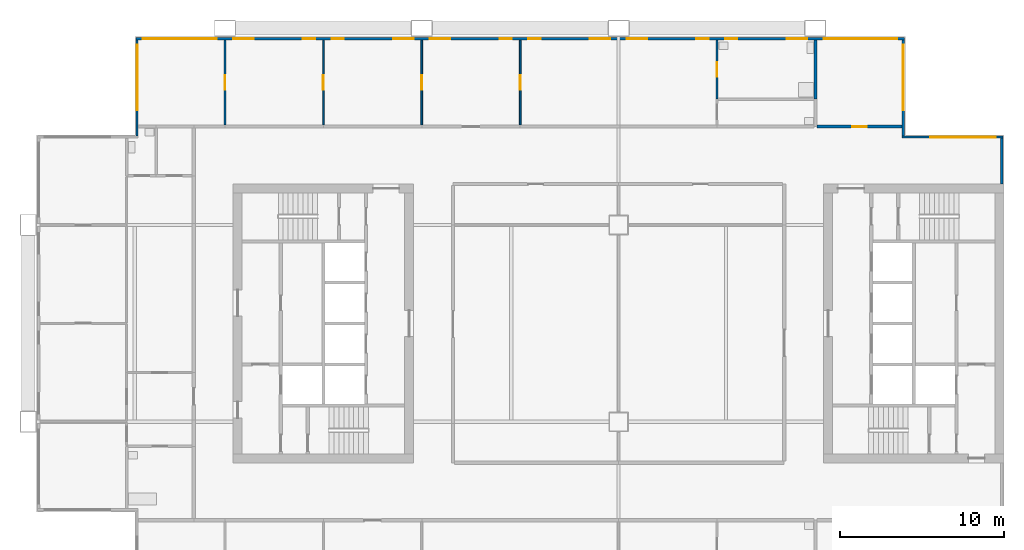
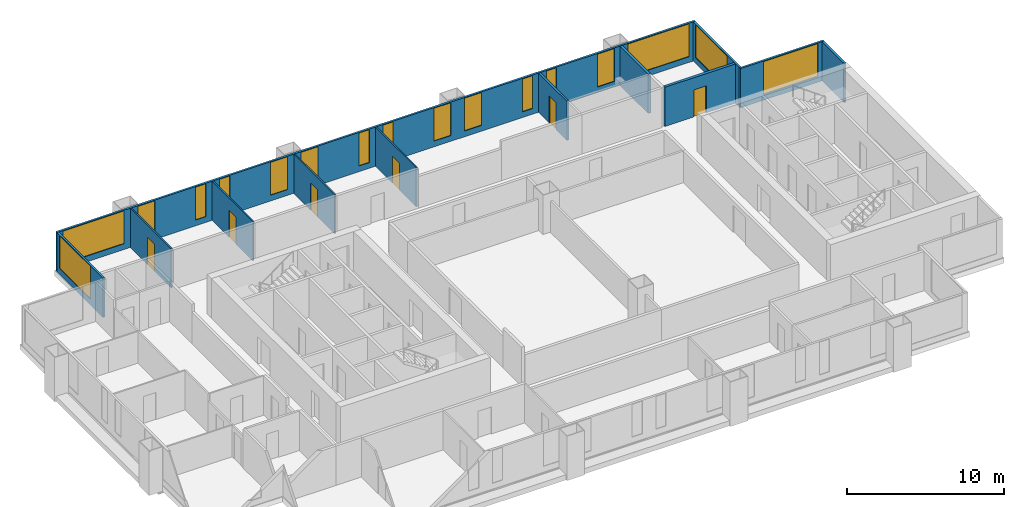
# One storey, part 6 of 9: 17 windows, 12 walls, 6 doors, 23 openings.
"""IFC4 building model written with IfcOpenShell, lengths in metres."""

import ifcopenshell
import ifcopenshell.guid

model = None  # the IFC model being written
_history = None  # IfcOwnerHistory: only IFC2X3 demands one
_inside = {}  # id of a spatial element -> (the spatial element, [elements in it])
_under = {}  # id of a project, library or spatial element -> (it, [spatial elements below it])
_declared = {}  # id of a project -> (the project, [libraries it declares])
_typed = {}  # id of a type object -> (the type object, [elements of that type])
_made_of = {}  # id of a material, layer set ... -> (it, [elements and type objects made of it])


def new_model(schema):
    """Start an empty IFC model of exactly this schema.

    Asked for "IFC4X3", IfcOpenShell would pick the latest addendum, in which some entities
    have other attributes; the version numbers below select the first issue.
    IFC2X3 requires an IfcOwnerHistory on every rooted entity: one is made here for all.
    """
    global model, _history
    if schema == "IFC4X3":
        model = ifcopenshell.file(schema_version=(4, 3, 0, 0))
    else:
        model = ifcopenshell.file(schema=schema)
    _inside.clear()
    _under.clear()
    _declared.clear()
    _typed.clear()
    _made_of.clear()
    _history = None
    if model.schema == "IFC2X3":
        org = make("IfcOrganization", Name="unknown")
        user = make(
            "IfcPersonAndOrganization",
            ThePerson=make("IfcPerson", FamilyName="unknown"),
            TheOrganization=org,
        )
        app = make(
            "IfcApplication",
            ApplicationDeveloper=org,
            Version="unknown",
            ApplicationFullName="unknown",
            ApplicationIdentifier="unknown",
        )
        _history = make(
            "IfcOwnerHistory",
            OwningUser=user,
            OwningApplication=app,
            ChangeAction="ADDED",
            CreationDate=0,
        )
    return model


def make(cls, **values):
    """One entity of the class cls with the attributes given. An attribute that is None is left unset."""
    return model.create_entity(
        cls, **{name: value for name, value in values.items() if value is not None}
    )


def rooted(cls, **values):
    """An entity with a GlobalId (a new one), such as an element, a storey or a relation."""
    return make(cls, GlobalId=ifcopenshell.guid.new(), OwnerHistory=_history, **values)


def si_unit(unit_type, name, prefix=None):
    """IfcSIUnit, for example si_unit("LENGTHUNIT", "METRE", prefix="MILLI")."""
    return make("IfcSIUnit", UnitType=unit_type, Prefix=prefix, Name=name)


def assignment(units):
    """IfcUnitAssignment: the units of a project."""
    return None if units is None else make("IfcUnitAssignment", Units=units)


def point(xyz):
    """IfcCartesianPoint."""
    return None if xyz is None else make("IfcCartesianPoint", Coordinates=xyz)


def direction(xyz):
    """IfcDirection."""
    return None if xyz is None else make("IfcDirection", DirectionRatios=xyz)


def frame(location, z_axis=None, x_axis=None):
    """IfcAxis2Placement3D, a coordinate frame: its origin and axes. An axis left out is left unset."""
    return make(
        "IfcAxis2Placement3D",
        Location=point(location),
        Axis=direction(z_axis),
        RefDirection=direction(x_axis),
    )


def frame_2d(location, x_axis=None):
    """IfcAxis2Placement2D, a coordinate frame in the plane: its origin and x axis."""
    return make(
        "IfcAxis2Placement2D", Location=point(location), RefDirection=direction(x_axis)
    )


def origin():
    """The frame at (0, 0, 0) with its axes left unset."""
    return frame((0.0, 0.0, 0.0))


def place(relative_to, where):
    """IfcLocalPlacement: puts the frame where relative to a parent placement (None: the world)."""
    return make(
        "IfcLocalPlacement", PlacementRelTo=relative_to, RelativePlacement=where
    )


def context(
    kind, dimensions, precision=None, world=None, true_north=None, identifier=None
):
    """IfcGeometricRepresentationContext, for example the 3D "Model" context."""
    return make(
        "IfcGeometricRepresentationContext",
        ContextIdentifier=identifier,
        ContextType=kind,
        CoordinateSpaceDimension=dimensions,
        Precision=precision,
        WorldCoordinateSystem=world,
        TrueNorth=true_north,
    )


def subcontext(parent, identifier, kind, view, scale=None):
    """IfcGeometricRepresentationSubContext, for example "Body" below "Model"."""
    return make(
        "IfcGeometricRepresentationSubContext",
        ContextIdentifier=identifier,
        ContextType=kind,
        ParentContext=parent,
        TargetScale=scale,
        TargetView=view,
    )


def project(units=None, contexts=None):
    """IfcProject with its units and contexts."""
    return rooted(
        "IfcProject",
        Name="project",
        RepresentationContexts=contexts,
        UnitsInContext=assignment(units),
    )


def spatial(cls, under=None, at=None, **own):
    """A site, building, storey or space (cls), placed at a placement, below another one or the project."""
    s = rooted(cls, ObjectPlacement=at, **own)
    if under is not None:
        _under.setdefault(under.id(), (under, []))[1].append(s)
    return s


def profile(cls, at=None, kind="AREA", **sizes):
    """A parametric profile (cls). Its sizes go by their IFC names, for example OverallWidth=200.0."""
    return make(cls, ProfileType=kind, Position=at, **sizes)


def rectangle(**sizes):
    """IfcRectangleProfileDef."""
    return profile("IfcRectangleProfileDef", **sizes)


def extrude(swept, where, along, depth):
    """IfcExtrudedAreaSolid: the profile swept, set in the frame where, extruded along a direction by depth."""
    return make(
        "IfcExtrudedAreaSolid",
        SweptArea=swept,
        Position=where,
        ExtrudedDirection=direction(along),
        Depth=depth,
    )


def shape(context_of_items, identifier, shape_type, items):
    """IfcShapeRepresentation: the items that make up one representation, for example the "Body"."""
    return make(
        "IfcShapeRepresentation",
        ContextOfItems=context_of_items,
        RepresentationIdentifier=identifier,
        RepresentationType=shape_type,
        Items=items,
    )


def material(Name=None, Category=None):
    """IfcMaterial."""
    return make("IfcMaterial", Name=Name, Category=Category)


def layer(
    of_material, thickness, ventilated=None, Name=None, Category=None, Priority=None
):
    """IfcMaterialLayer: one layer of a wall or slab, of a material (None: an air gap)."""
    return make(
        "IfcMaterialLayer",
        Material=of_material,
        LayerThickness=thickness,
        IsVentilated=ventilated,
        Name=Name,
        Category=Category,
        Priority=Priority,
    )


def layer_set(layers, Name=None):
    """IfcMaterialLayerSet."""
    return make("IfcMaterialLayerSet", MaterialLayers=layers, LayerSetName=Name)


def made_of(thing, what):
    """Note that an element or type object is made of a material, layer set ...; save() writes the relation."""
    if what is not None:
        _made_of.setdefault(what.id(), (what, []))[1].append(thing)
    return thing


def type_object(cls, material=None, **own):
    """A type object (cls), such as IfcWallType, which elements share."""
    return made_of(rooted(cls, **own), material)


def element(
    cls,
    number,
    at=None,
    inside=None,
    cuts=None,
    type_object=None,
    material=None,
    context=None,
    identifier="Body",
    shape_type=None,
    held_by="IfcProductDefinitionShape",
    body=None,
    shapes=None,
    **own,
):
    """One element of the class cls, such as IfcWall. Its Tag is "e" and its number.

    at: its placement. inside: the storey or other place that contains it. cuts: it is an
    opening in that element (IfcRelVoidsElement). A single representation is given by context,
    identifier, shape_type and body (its items); several are given by shapes. held_by: the class
    of the entity that holds the representations. save() writes the other relations.
    """
    e = rooted(cls, Tag="e%d" % number, ObjectPlacement=at, **own)
    if body is not None:
        shapes = [shape(context, identifier, shape_type, body)]
    if shapes is not None:
        e.Representation = make(held_by, Representations=shapes)
    if inside is not None:
        _inside.setdefault(inside.id(), (inside, []))[1].append(e)
    if cuts is not None:
        rooted(
            "IfcRelVoidsElement", RelatingBuildingElement=cuts, RelatedOpeningElement=e
        )
    if type_object is not None:
        _typed.setdefault(type_object.id(), (type_object, []))[1].append(e)
    return made_of(e, material)


def fill(opening, filler):
    """IfcRelFillsElement: the door or window that sits in an opening."""
    return rooted(
        "IfcRelFillsElement",
        RelatingOpeningElement=opening,
        RelatedBuildingElement=filler,
    )


def aggregate(whole, parts):
    """IfcRelAggregates: a whole, such as a stair, and the parts it consists of."""
    return rooted("IfcRelAggregates", RelatingObject=whole, RelatedObjects=parts)


def save(model, path):
    """Write the relations noted so far, then the file.

    IfcRelAggregates (storeys below a building ...), IfcRelContainedInSpatialStructure (elements
    in a storey), IfcRelDefinesByType, IfcRelAssociatesMaterial and IfcRelDeclares: one each for
    every whole, place, type object, material and project.
    """
    for whole, parts in _under.values():
        aggregate(whole, parts)
    for where, things in _inside.values():
        rooted(
            "IfcRelContainedInSpatialStructure",
            RelatedElements=things,
            RelatingStructure=where,
        )
    for kind, things in _typed.values():
        rooted("IfcRelDefinesByType", RelatedObjects=things, RelatingType=kind)
    for what, things in _made_of.values():
        rooted("IfcRelAssociatesMaterial", RelatedObjects=things, RelatingMaterial=what)
    for by, libraries in _declared.values():
        rooted("IfcRelDeclares", RelatingContext=by, RelatedDefinitions=libraries)
    model.write(path)


model = new_model("IFC4")

# Units and contexts
model_context = context("Model", 3, precision=1e-05, world=origin(), true_north=direction((0.0, 1.0)))
body_context = subcontext(model_context, "Body", "Model", "MODEL_VIEW")
ifc_project = project(units=[si_unit("LENGTHUNIT", "METRE"), si_unit("AREAUNIT", "SQUARE_METRE"), si_unit("VOLUMEUNIT", "CUBIC_METRE"), si_unit("PLANEANGLEUNIT", "RADIAN"), si_unit("MASSUNIT", "GRAM", prefix="KILO")], contexts=[model_context])

# Site, building, storey
site_placement = place(None, origin())
site = spatial("IfcSite", under=ifc_project, at=site_placement, CompositionType="ELEMENT")
building_placement = place(site_placement, origin())
building = spatial("IfcBuilding", under=site, at=building_placement, Name="Kitamizu Gate Tower and Museum", CompositionType="ELEMENT")
storey_placement = place(building_placement, frame((0.0, 0.0, 168.60009765625)))
storey = spatial("IfcBuildingStorey", under=building, at=storey_placement, Name="L44", CompositionType="ELEMENT", Elevation=168.60009765625)

# Wall, opening, door
ifc_material_1 = material(Name="Gypsum board on galvanised stud")
ifc_layer_1 = layer(ifc_material_1, 0.10009765625)
ifc_layer_set_1 = layer_set([ifc_layer_1], Name="Gypsum board on galvanised stud")
wall_type_1 = type_object("IfcWallType", Name="Partition 100 NOT RATED", PredefinedType="PARTITIONING", material=ifc_layer_set_1)
wall_1_placement = place(storey_placement, frame((12.0, 42.10009765625, 0.0), z_axis=(0.0, 0.0, 1.0), x_axis=(0.0, 1.0, 0.0)))
wall_1 = element("IfcWall", 1, at=wall_1_placement, inside=storey, type_object=wall_type_1, Name="Partition L44-018", PredefinedType="PARTITIONING", context=body_context, shape_type="SweptSolid", body=[
    extrude(rectangle(XDim=5.179931640625, YDim=0.10009765625, at=frame_2d((2.58984375, 0.0))), origin(), (0.0, 0.0, 1.0), 3.0498046875),
])
opening_1_placement = place(wall_1_placement, frame((2.139892578125, 0.0, 0.0)))
opening_1 = element("IfcOpeningElement", 2, at=opening_1_placement, cuts=wall_1, Name="Opening L44-014", PredefinedType="OPENING", context=body_context, shape_type="SweptSolid", body=[
    extrude(rectangle(XDim=0.89990234375, YDim=2.10009765625, at=frame_2d((0.449951171875, 1.050048828125))), frame((0.0, 0.06005859375, 0.0), z_axis=(0.0, -1.0, 0.0), x_axis=(1.0, 0.0, 0.0)), (0.0, 0.0, 1.0), 0.1201171875),
])
ifc_material_2 = material(Name="Timber door set", Category="wood")
door_type_1 = type_object("IfcDoorType", Name="Room door 900", OperationType="NOTDEFINED", PredefinedType="DOOR", material=ifc_material_2)
door_1_placement = place(opening_1_placement, origin())
door_1 = element("IfcDoor", 3, at=door_1_placement, inside=storey, type_object=door_type_1, Name="Door L44-014", OperationType="SINGLE_SWING_LEFT", OverallHeight=2.10009765625, OverallWidth=0.89990234375, PredefinedType="DOOR", context=body_context, shape_type="SweptSolid", body=[
    extrude(rectangle(XDim=0.89990234375, YDim=2.10009765625, at=frame_2d((0.449951171875, 1.050048828125))), frame((0.0, 0.02490234375, 0.0), z_axis=(0.0, -1.0, 0.0), x_axis=(1.0, 0.0, 0.0)), (0.0, 0.0, 1.0), 0.050048828125),
])
fill(opening_1, door_1)

wall_2_placement = place(storey_placement, frame((18.0, 42.10009765625, 0.0), z_axis=(0.0, 0.0, 1.0), x_axis=(0.0, 1.0, 0.0)))
wall_2 = element("IfcWall", 4, at=wall_2_placement, inside=storey, type_object=wall_type_1, Name="Partition L44-022", PredefinedType="PARTITIONING", context=body_context, shape_type="SweptSolid", body=[
    extrude(rectangle(XDim=5.179931640625, YDim=0.10009765625, at=frame_2d((2.58984375, 0.0))), origin(), (0.0, 0.0, 1.0), 3.0498046875),
])
opening_2_placement = place(wall_2_placement, frame((2.139892578125, 0.0, 0.0)))
opening_2 = element("IfcOpeningElement", 5, at=opening_2_placement, cuts=wall_2, Name="Opening L44-013", PredefinedType="OPENING", context=body_context, shape_type="SweptSolid", body=[
    extrude(rectangle(XDim=0.89990234375, YDim=2.10009765625, at=frame_2d((0.449951171875, 1.050048828125))), frame((0.0, 0.06005859375, 0.0), z_axis=(0.0, -1.0, 0.0), x_axis=(1.0, 0.0, 0.0)), (0.0, 0.0, 1.0), 0.1201171875),
])
door_2_placement = place(opening_2_placement, origin())
door_2 = element("IfcDoor", 6, at=door_2_placement, inside=storey, type_object=door_type_1, Name="Door L44-013", OperationType="SINGLE_SWING_RIGHT", OverallHeight=2.10009765625, OverallWidth=0.89990234375, PredefinedType="DOOR", context=body_context, shape_type="SweptSolid", body=[
    extrude(rectangle(XDim=0.89990234375, YDim=2.10009765625, at=frame_2d((0.449951171875, 1.050048828125))), frame((0.0, 0.02490234375, 0.0), z_axis=(0.0, -1.0, 0.0), x_axis=(1.0, 0.0, 0.0)), (0.0, 0.0, 1.0), 0.050048828125),
])
fill(opening_2, door_2)

wall_3_placement = place(storey_placement, frame((24.0, 42.10009765625, 0.0), z_axis=(0.0, 0.0, 1.0), x_axis=(0.0, 1.0, 0.0)))
wall_3 = element("IfcWall", 7, at=wall_3_placement, inside=storey, type_object=wall_type_1, Name="Partition L44-024", PredefinedType="PARTITIONING", context=body_context, shape_type="SweptSolid", body=[
    extrude(rectangle(XDim=5.179931640625, YDim=0.10009765625, at=frame_2d((2.58984375, 0.0))), origin(), (0.0, 0.0, 1.0), 3.0498046875),
])
opening_3_placement = place(wall_3_placement, frame((2.139892578125, 0.0, 0.0)))
opening_3 = element("IfcOpeningElement", 8, at=opening_3_placement, cuts=wall_3, Name="Opening L44-011", PredefinedType="OPENING", context=body_context, shape_type="SweptSolid", body=[
    extrude(rectangle(XDim=0.89990234375, YDim=2.10009765625, at=frame_2d((0.449951171875, 1.050048828125))), frame((0.0, 0.06005859375, 0.0), z_axis=(0.0, -1.0, 0.0), x_axis=(1.0, 0.0, 0.0)), (0.0, 0.0, 1.0), 0.1201171875),
])
door_3_placement = place(opening_3_placement, origin())
door_3 = element("IfcDoor", 9, at=door_3_placement, inside=storey, type_object=door_type_1, Name="Door L44-011", OperationType="SINGLE_SWING_RIGHT", OverallHeight=2.10009765625, OverallWidth=0.89990234375, PredefinedType="DOOR", context=body_context, shape_type="SweptSolid", body=[
    extrude(rectangle(XDim=0.89990234375, YDim=2.10009765625, at=frame_2d((0.449951171875, 1.050048828125))), frame((0.0, 0.02490234375, 0.0), z_axis=(0.0, -1.0, 0.0), x_axis=(1.0, 0.0, 0.0)), (0.0, 0.0, 1.0), 0.050048828125),
])
fill(opening_3, door_3)

wall_4_placement = place(storey_placement, frame((30.0, 42.10009765625, 0.0), z_axis=(0.0, 0.0, 1.0), x_axis=(0.0, 1.0, 0.0)))
wall_4 = element("IfcWall", 10, at=wall_4_placement, inside=storey, type_object=wall_type_1, Name="Partition L44-026", PredefinedType="PARTITIONING", context=body_context, shape_type="SweptSolid", body=[
    extrude(rectangle(XDim=5.179931640625, YDim=0.10009765625, at=frame_2d((2.58984375, 0.0))), origin(), (0.0, 0.0, 1.0), 3.0498046875),
])
opening_4_placement = place(wall_4_placement, frame((2.139892578125, 0.0, 0.0)))
opening_4 = element("IfcOpeningElement", 11, at=opening_4_placement, cuts=wall_4, Name="Opening L44-009", PredefinedType="OPENING", context=body_context, shape_type="SweptSolid", body=[
    extrude(rectangle(XDim=0.89990234375, YDim=2.10009765625, at=frame_2d((0.449951171875, 1.050048828125))), frame((0.0, 0.06005859375, 0.0), z_axis=(0.0, -1.0, 0.0), x_axis=(1.0, 0.0, 0.0)), (0.0, 0.0, 1.0), 0.1201171875),
])
door_4_placement = place(opening_4_placement, frame((0.89990234375, 0.0, 0.0), x_axis=(-1.0, 0.0, 0.0)))
door_4 = element("IfcDoor", 12, at=door_4_placement, inside=storey, type_object=door_type_1, Name="Door L44-009", OperationType="SINGLE_SWING_LEFT", OverallHeight=2.10009765625, OverallWidth=0.89990234375, PredefinedType="DOOR", context=body_context, shape_type="SweptSolid", body=[
    extrude(rectangle(XDim=0.89990234375, YDim=2.10009765625, at=frame_2d((0.449951171875, 1.050048828125))), frame((0.0, 0.02490234375, 0.0), z_axis=(0.0, -1.0, 0.0), x_axis=(1.0, 0.0, 0.0)), (0.0, 0.0, 1.0), 0.050048828125),
])
fill(opening_4, door_4)

ifc_material_3 = material(Name="Gypsum board on galvanised stud")
ifc_layer_2 = layer(ifc_material_3, 0.14990234375)
ifc_layer_set_2 = layer_set([ifc_layer_2], Name="Gypsum board on galvanised stud")
wall_type_2 = type_object("IfcWallType", Name="Partition 150", PredefinedType="PARTITIONING", material=ifc_layer_set_2)
wall_5_placement = place(storey_placement, frame((42.0, 43.679931640625, 0.0), z_axis=(0.0, 0.0, 1.0), x_axis=(0.0, 1.0, 0.0)))
wall_5 = element("IfcWall", 13, at=wall_5_placement, inside=storey, type_object=wall_type_2, Name="Partition L44-028", PredefinedType="PARTITIONING", context=body_context, shape_type="SweptSolid", body=[
    extrude(rectangle(XDim=3.60009765625, YDim=0.14990234375, at=frame_2d((1.800048828125, 0.0))), origin(), (0.0, 0.0, 1.0), 3.0498046875),
])
opening_5_placement = place(wall_5_placement, frame((1.35009765625, 0.0, 0.0)))
opening_5 = element("IfcOpeningElement", 14, at=opening_5_placement, cuts=wall_5, Name="Opening L44-010", PredefinedType="OPENING", context=body_context, shape_type="SweptSolid", body=[
    extrude(rectangle(XDim=0.89990234375, YDim=2.10009765625, at=frame_2d((0.449951171875, 1.050048828125))), frame((0.0, 0.0849609375, 0.0), z_axis=(0.0, -1.0, 0.0), x_axis=(1.0, 0.0, 0.0)), (0.0, 0.0, 1.0), 0.169921875),
])
ifc_material_4 = material(Name="Timber door set", Category="wood")
door_type_2 = type_object("IfcDoorType", Name="Bathroom door 900", OperationType="NOTDEFINED", PredefinedType="DOOR", material=ifc_material_4)
door_5_placement = place(opening_5_placement, frame((0.89990234375, 0.0, 0.0), x_axis=(-1.0, 0.0, 0.0)))
door_5 = element("IfcDoor", 15, at=door_5_placement, inside=storey, type_object=door_type_2, Name="Bathroom door L44-010", OperationType="SINGLE_SWING_RIGHT", OverallHeight=2.10009765625, OverallWidth=0.89990234375, PredefinedType="DOOR", context=body_context, shape_type="SweptSolid", body=[
    extrude(rectangle(XDim=0.89990234375, YDim=2.10009765625, at=frame_2d((0.449951171875, 1.050048828125))), frame((0.0, 0.02490234375, 0.0), z_axis=(0.0, -1.0, 0.0), x_axis=(1.0, 0.0, 0.0)), (0.0, 0.0, 1.0), 0.050048828125),
])
fill(opening_5, door_5)

# Wall
ifc_material_5 = material(Name="Gypsum board on galvanised stud")
ifc_layer_3 = layer(ifc_material_5, 0.199951171875)
ifc_layer_set_3 = layer_set([ifc_layer_3], Name="Gypsum board on galvanised stud")
wall_type_3 = type_object("IfcWallType", Name="Partition 200", PredefinedType="PARTITIONING", material=ifc_layer_set_3)
wall_6_placement = place(storey_placement, frame((48.0, 43.679931640625, 0.0), z_axis=(0.0, 0.0, 1.0), x_axis=(0.0, 1.0, 0.0)))
element("IfcWall", 16, at=wall_6_placement, inside=storey, type_object=wall_type_3, Name="Partition L44-033", PredefinedType="PARTITIONING", context=body_context, shape_type="SweptSolid", body=[
    extrude(rectangle(XDim=3.60009765625, YDim=0.199951171875, at=frame_2d((1.800048828125, 0.0))), origin(), (0.0, 0.0, 1.0), 3.0498046875),
])

# Wall, opening, door
wall_7_placement = place(storey_placement, frame((48.10009765625, 42.0, 0.0), z_axis=(0.0, 0.0, 1.0), x_axis=(1.0, 0.0, 0.0)))
wall_7 = element("IfcWall", 17, at=wall_7_placement, inside=storey, type_object=wall_type_3, Name="Partition L44-036", PredefinedType="PARTITIONING", context=body_context, shape_type="SweptSolid", body=[
    extrude(rectangle(XDim=5.179931640625, YDim=0.199951171875, at=frame_2d((2.58984375, 0.0))), origin(), (0.0, 0.0, 1.0), 3.0498046875),
])
opening_6_placement = place(wall_7_placement, frame((2.139892578125, 0.0, 0.0)))
opening_6 = element("IfcOpeningElement", 18, at=opening_6_placement, cuts=wall_7, Name="Opening L44-025", PredefinedType="OPENING", context=body_context, shape_type="SweptSolid", body=[
    extrude(rectangle(XDim=0.89990234375, YDim=2.10009765625, at=frame_2d((0.449951171875, 1.050048828125))), frame((0.0, 0.10986328125, 0.0), z_axis=(0.0, -1.0, 0.0), x_axis=(1.0, 0.0, 0.0)), (0.0, 0.0, 1.0), 0.219970703125),
])
door_6_placement = place(opening_6_placement, origin())
door_6 = element("IfcDoor", 19, at=door_6_placement, inside=storey, type_object=door_type_1, Name="Door L44-025", OperationType="SINGLE_SWING_LEFT", OverallHeight=2.10009765625, OverallWidth=0.89990234375, PredefinedType="DOOR", context=body_context, shape_type="SweptSolid", body=[
    extrude(rectangle(XDim=0.89990234375, YDim=2.10009765625, at=frame_2d((0.449951171875, 1.050048828125))), frame((0.0, 0.02490234375, 0.0), z_axis=(0.0, -1.0, 0.0), x_axis=(1.0, 0.0, 0.0)), (0.0, 0.0, 1.0), 0.050048828125),
])
fill(opening_6, door_6)

# Wall
ifc_material_6 = material(Name="Bronze anodised aluminium frame with insulated spandrel and tinted glass", Category="aluminium")
ifc_layer_4 = layer(ifc_material_6, 0.14990234375)
ifc_layer_set_4 = layer_set([ifc_layer_4], Name="Bronze anodised aluminium frame with insulated spandrel and tinted glass")
wall_type_4 = type_object("IfcWallType", Name="WINDOW WALL 150 BRONZE FRAME EI 30", PredefinedType="ELEMENTEDWALL", material=ifc_layer_set_4)
wall_8_placement = place(storey_placement, frame((59.364990234375, 38.5, 0.0), z_axis=(0.0, 0.0, 1.0), x_axis=(0.0, 1.0, 0.0)))
element("IfcWall", 20, at=wall_8_placement, inside=storey, type_object=wall_type_4, Name="Window wall east L44", PredefinedType="ELEMENTEDWALL", context=body_context, shape_type="SweptSolid", body=[
    extrude(rectangle(XDim=2.7900390625, YDim=0.14990234375, at=frame_2d((1.39501953125, 0.0))), origin(), (0.0, 0.0, 1.0), 3.0498046875),
])

# Wall, opening, window
wall_9_placement = place(storey_placement, frame((53.2900390625, 41.364990234375, 0.0), z_axis=(0.0, 0.0, 1.0), x_axis=(1.0, 0.0, 0.0)))
wall_9 = element("IfcWall", 21, at=wall_9_placement, inside=storey, type_object=wall_type_4, Name="Window wall north L44", PredefinedType="ELEMENTEDWALL", context=body_context, shape_type="SweptSolid", body=[
    extrude(rectangle(XDim=6.14990234375, YDim=0.14990234375, at=frame_2d((3.074951171875, 0.0))), origin(), (0.0, 0.0, 1.0), 3.0498046875),
])
opening_7_placement = place(wall_9_placement, frame((1.7099609375, 0.0, 0.449951171875)))
opening_7 = element("IfcOpeningElement", 22, at=opening_7_placement, cuts=wall_9, Name="Opening W16", PredefinedType="OPENING", context=body_context, shape_type="SweptSolid", body=[
    extrude(rectangle(XDim=4.0, YDim=2.550048828125, at=frame_2d((2.0, 1.27490234375))), frame((0.0, 0.0849609375, 0.0), z_axis=(0.0, -1.0, 0.0), x_axis=(1.0, 0.0, 0.0)), (0.0, 0.0, 1.0), 0.169921875),
])
ifc_material_7 = material(Name="Bronze anodised aluminium frame, tinted triple glazing", Category="aluminium")
window_type_1 = type_object("IfcWindowType", Name="WINDOW 4000 x 2550 SILL 450", PartitioningType="SINGLE_PANEL", PredefinedType="WINDOW", material=ifc_material_7)
window_1_placement = place(opening_7_placement, origin())
window_1 = element("IfcWindow", 23, at=window_1_placement, inside=storey, type_object=window_type_1, Name="Window W16 L44", OverallHeight=2.550048828125, OverallWidth=4.0, PartitioningType="SINGLE_PANEL", PredefinedType="WINDOW", context=body_context, shape_type="SweptSolid", body=[
    extrude(rectangle(XDim=4.0, YDim=2.550048828125, at=frame_2d((2.0, 1.27490234375))), frame((0.0, 0.030029296875, 0.0), z_axis=(0.0, -1.0, 0.0), x_axis=(1.0, 0.0, 0.0)), (0.0, 0.0, 1.0), 0.06005859375),
])
fill(opening_7, window_1)

wall_10_placement = place(storey_placement, frame((53.364990234375, 41.43994140625, 0.0), z_axis=(0.0, 0.0, 1.0), x_axis=(0.0, 1.0, 0.0)))
wall_10 = element("IfcWall", 24, at=wall_10_placement, inside=storey, type_object=wall_type_4, Name="Window wall east L44", PredefinedType="ELEMENTEDWALL", context=body_context, shape_type="SweptSolid", body=[
    extrude(rectangle(XDim=5.85009765625, YDim=0.14990234375, at=frame_2d((2.925048828125, 0.0))), origin(), (0.0, 0.0, 1.0), 3.0498046875),
])
opening_8_placement = place(wall_10_placement, frame((1.56005859375, 0.0, 0.449951171875)))
opening_8 = element("IfcOpeningElement", 25, at=opening_8_placement, cuts=wall_10, Name="Opening W16", PredefinedType="OPENING", context=body_context, shape_type="SweptSolid", body=[
    extrude(rectangle(XDim=4.0, YDim=2.550048828125, at=frame_2d((2.0, 1.27490234375))), frame((0.0, 0.0849609375, 0.0), z_axis=(0.0, -1.0, 0.0), x_axis=(1.0, 0.0, 0.0)), (0.0, 0.0, 1.0), 0.169921875),
])
window_2_placement = place(opening_8_placement, origin())
window_2 = element("IfcWindow", 26, at=window_2_placement, inside=storey, type_object=window_type_1, Name="Window W16 L44", OverallHeight=2.550048828125, OverallWidth=4.0, PartitioningType="SINGLE_PANEL", PredefinedType="WINDOW", context=body_context, shape_type="SweptSolid", body=[
    extrude(rectangle(XDim=4.0, YDim=2.550048828125, at=frame_2d((2.0, 1.27490234375))), frame((0.0, 0.030029296875, 0.0), z_axis=(0.0, -1.0, 0.0), x_axis=(1.0, 0.0, 0.0)), (0.0, 0.0, 1.0), 0.06005859375),
])
fill(opening_8, window_2)

# Wall, openings, windows
wall_11_placement = place(storey_placement, frame((6.56005859375, 47.364990234375, 0.0), z_axis=(0.0, 0.0, 1.0), x_axis=(1.0, 0.0, 0.0)))
wall_11 = element("IfcWall", 27, at=wall_11_placement, inside=storey, type_object=wall_type_4, Name="Window wall north L44", PredefinedType="ELEMENTEDWALL", context=body_context, shape_type="SweptSolid", body=[
    extrude(rectangle(XDim=46.8798828125, YDim=0.14990234375, at=frame_2d((23.43994140625, 0.0))), origin(), (0.0, 0.0, 1.0), 3.0498046875),
])
opening_9_placement = place(wall_11_placement, frame((0.43994140625, 0.0, 0.449951171875)))
opening_9 = element("IfcOpeningElement", 28, at=opening_9_placement, cuts=wall_11, Name="Opening W15", PredefinedType="OPENING", context=body_context, shape_type="SweptSolid", body=[
    extrude(rectangle(XDim=4.5, YDim=2.550048828125, at=frame_2d((2.25, 1.27490234375))), frame((0.0, 0.0849609375, 0.0), z_axis=(0.0, -1.0, 0.0), x_axis=(1.0, 0.0, 0.0)), (0.0, 0.0, 1.0), 0.169921875),
])
opening_10_placement = place(wall_11_placement, frame((5.93994140625, 0.0, 0.449951171875)))
opening_10 = element("IfcOpeningElement", 29, at=opening_10_placement, cuts=wall_11, Name="Opening W27", PredefinedType="OPENING", context=body_context, shape_type="SweptSolid", body=[
    extrude(rectangle(XDim=1.25, YDim=2.550048828125, at=frame_2d((0.625, 1.27490234375))), frame((0.0, 0.0849609375, 0.0), z_axis=(0.0, -1.0, 0.0), x_axis=(1.0, 0.0, 0.0)), (0.0, 0.0, 1.0), 0.169921875),
])
opening_11_placement = place(wall_11_placement, frame((10.18994140625, 0.0, 0.449951171875)))
opening_11 = element("IfcOpeningElement", 30, at=opening_11_placement, cuts=wall_11, Name="Opening W25", PredefinedType="OPENING", context=body_context, shape_type="SweptSolid", body=[
    extrude(rectangle(XDim=0.75, YDim=2.550048828125, at=frame_2d((0.375, 1.27490234375))), frame((0.0, 0.0849609375, 0.0), z_axis=(0.0, -1.0, 0.0), x_axis=(1.0, 0.0, 0.0)), (0.0, 0.0, 1.0), 0.169921875),
])
opening_12_placement = place(wall_11_placement, frame((11.93994140625, 0.0, 0.449951171875)))
opening_12 = element("IfcOpeningElement", 31, at=opening_12_placement, cuts=wall_11, Name="Opening W25", PredefinedType="OPENING", context=body_context, shape_type="SweptSolid", body=[
    extrude(rectangle(XDim=0.75, YDim=2.550048828125, at=frame_2d((0.375, 1.27490234375))), frame((0.0, 0.0849609375, 0.0), z_axis=(0.0, -1.0, 0.0), x_axis=(1.0, 0.0, 0.0)), (0.0, 0.0, 1.0), 0.169921875),
])
opening_13_placement = place(wall_11_placement, frame((15.68994140625, 0.0, 0.449951171875)))
opening_13 = element("IfcOpeningElement", 32, at=opening_13_placement, cuts=wall_11, Name="Opening W27", PredefinedType="OPENING", context=body_context, shape_type="SweptSolid", body=[
    extrude(rectangle(XDim=1.25, YDim=2.550048828125, at=frame_2d((0.625, 1.27490234375))), frame((0.0, 0.0849609375, 0.0), z_axis=(0.0, -1.0, 0.0), x_axis=(1.0, 0.0, 0.0)), (0.0, 0.0, 1.0), 0.169921875),
])
opening_14_placement = place(wall_11_placement, frame((17.93994140625, 0.0, 0.449951171875)))
opening_14 = element("IfcOpeningElement", 33, at=opening_14_placement, cuts=wall_11, Name="Opening W27", PredefinedType="OPENING", context=body_context, shape_type="SweptSolid", body=[
    extrude(rectangle(XDim=1.25, YDim=2.550048828125, at=frame_2d((0.625, 1.27490234375))), frame((0.0, 0.0849609375, 0.0), z_axis=(0.0, -1.0, 0.0), x_axis=(1.0, 0.0, 0.0)), (0.0, 0.0, 1.0), 0.169921875),
])
opening_15_placement = place(wall_11_placement, frame((22.18994140625, 0.0, 0.449951171875)))
opening_15 = element("IfcOpeningElement", 34, at=opening_15_placement, cuts=wall_11, Name="Opening W25", PredefinedType="OPENING", context=body_context, shape_type="SweptSolid", body=[
    extrude(rectangle(XDim=0.75, YDim=2.550048828125, at=frame_2d((0.375, 1.27490234375))), frame((0.0, 0.0849609375, 0.0), z_axis=(0.0, -1.0, 0.0), x_axis=(1.0, 0.0, 0.0)), (0.0, 0.0, 1.0), 0.169921875),
])
opening_16_placement = place(wall_11_placement, frame((23.93994140625, 0.0, 0.449951171875)))
opening_16 = element("IfcOpeningElement", 35, at=opening_16_placement, cuts=wall_11, Name="Opening W25", PredefinedType="OPENING", context=body_context, shape_type="SweptSolid", body=[
    extrude(rectangle(XDim=0.75, YDim=2.550048828125, at=frame_2d((0.375, 1.27490234375))), frame((0.0, 0.0849609375, 0.0), z_axis=(0.0, -1.0, 0.0), x_axis=(1.0, 0.0, 0.0)), (0.0, 0.0, 1.0), 0.169921875),
])
opening_17_placement = place(wall_11_placement, frame((27.68994140625, 0.0, 0.449951171875)))
opening_17 = element("IfcOpeningElement", 36, at=opening_17_placement, cuts=wall_11, Name="Opening W27", PredefinedType="OPENING", context=body_context, shape_type="SweptSolid", body=[
    extrude(rectangle(XDim=1.25, YDim=2.550048828125, at=frame_2d((0.625, 1.27490234375))), frame((0.0, 0.0849609375, 0.0), z_axis=(0.0, -1.0, 0.0), x_axis=(1.0, 0.0, 0.0)), (0.0, 0.0, 1.0), 0.169921875),
])
opening_18_placement = place(wall_11_placement, frame((29.93994140625, 0.0, 0.449951171875)))
opening_18 = element("IfcOpeningElement", 37, at=opening_18_placement, cuts=wall_11, Name="Opening W27", PredefinedType="OPENING", context=body_context, shape_type="SweptSolid", body=[
    extrude(rectangle(XDim=1.25, YDim=2.550048828125, at=frame_2d((0.625, 1.27490234375))), frame((0.0, 0.0849609375, 0.0), z_axis=(0.0, -1.0, 0.0), x_axis=(1.0, 0.0, 0.0)), (0.0, 0.0, 1.0), 0.169921875),
])
opening_19_placement = place(wall_11_placement, frame((34.18994140625, 0.0, 0.449951171875)))
opening_19 = element("IfcOpeningElement", 38, at=opening_19_placement, cuts=wall_11, Name="Opening W25", PredefinedType="OPENING", context=body_context, shape_type="SweptSolid", body=[
    extrude(rectangle(XDim=0.75, YDim=2.550048828125, at=frame_2d((0.375, 1.27490234375))), frame((0.0, 0.0849609375, 0.0), z_axis=(0.0, -1.0, 0.0), x_axis=(1.0, 0.0, 0.0)), (0.0, 0.0, 1.0), 0.169921875),
])
opening_20_placement = place(wall_11_placement, frame((35.93994140625, 0.0, 0.449951171875)))
opening_20 = element("IfcOpeningElement", 39, at=opening_20_placement, cuts=wall_11, Name="Opening W25", PredefinedType="OPENING", context=body_context, shape_type="SweptSolid", body=[
    extrude(rectangle(XDim=0.75, YDim=2.550048828125, at=frame_2d((0.375, 1.27490234375))), frame((0.0, 0.0849609375, 0.0), z_axis=(0.0, -1.0, 0.0), x_axis=(1.0, 0.0, 0.0)), (0.0, 0.0, 1.0), 0.169921875),
])
opening_21_placement = place(wall_11_placement, frame((39.68994140625, 0.0, 0.449951171875)))
opening_21 = element("IfcOpeningElement", 40, at=opening_21_placement, cuts=wall_11, Name="Opening W27", PredefinedType="OPENING", context=body_context, shape_type="SweptSolid", body=[
    extrude(rectangle(XDim=1.25, YDim=2.550048828125, at=frame_2d((0.625, 1.27490234375))), frame((0.0, 0.0849609375, 0.0), z_axis=(0.0, -1.0, 0.0), x_axis=(1.0, 0.0, 0.0)), (0.0, 0.0, 1.0), 0.169921875),
])
opening_22_placement = place(wall_11_placement, frame((41.93994140625, 0.0, 0.449951171875)))
opening_22 = element("IfcOpeningElement", 41, at=opening_22_placement, cuts=wall_11, Name="Opening W15", PredefinedType="OPENING", context=body_context, shape_type="SweptSolid", body=[
    extrude(rectangle(XDim=4.5, YDim=2.550048828125, at=frame_2d((2.25, 1.27490234375))), frame((0.0, 0.0849609375, 0.0), z_axis=(0.0, -1.0, 0.0), x_axis=(1.0, 0.0, 0.0)), (0.0, 0.0, 1.0), 0.169921875),
])
ifc_material_8 = material(Name="Bronze anodised aluminium frame, tinted triple glazing", Category="aluminium")
window_type_2 = type_object("IfcWindowType", Name="WINDOW 1250 x 2550 SILL 450", PartitioningType="SINGLE_PANEL", PredefinedType="WINDOW", material=ifc_material_8)
window_3_placement = place(opening_10_placement, origin())
window_3 = element("IfcWindow", 42, at=window_3_placement, inside=storey, type_object=window_type_2, Name="Window W27 L44", OverallHeight=2.550048828125, OverallWidth=1.25, PartitioningType="SINGLE_PANEL", PredefinedType="WINDOW", context=body_context, shape_type="SweptSolid", body=[
    extrude(rectangle(XDim=1.25, YDim=2.550048828125, at=frame_2d((0.625, 1.27490234375))), frame((0.0, 0.030029296875, 0.0), z_axis=(0.0, -1.0, 0.0), x_axis=(1.0, 0.0, 0.0)), (0.0, 0.0, 1.0), 0.06005859375),
])
fill(opening_10, window_3)
window_4_placement = place(opening_13_placement, origin())
window_4 = element("IfcWindow", 43, at=window_4_placement, inside=storey, type_object=window_type_2, Name="Window W27 L44", OverallHeight=2.550048828125, OverallWidth=1.25, PartitioningType="SINGLE_PANEL", PredefinedType="WINDOW", context=body_context, shape_type="SweptSolid", body=[
    extrude(rectangle(XDim=1.25, YDim=2.550048828125, at=frame_2d((0.625, 1.27490234375))), frame((0.0, 0.030029296875, 0.0), z_axis=(0.0, -1.0, 0.0), x_axis=(1.0, 0.0, 0.0)), (0.0, 0.0, 1.0), 0.06005859375),
])
fill(opening_13, window_4)
window_5_placement = place(opening_14_placement, origin())
window_5 = element("IfcWindow", 44, at=window_5_placement, inside=storey, type_object=window_type_2, Name="Window W27 L44", OverallHeight=2.550048828125, OverallWidth=1.25, PartitioningType="SINGLE_PANEL", PredefinedType="WINDOW", context=body_context, shape_type="SweptSolid", body=[
    extrude(rectangle(XDim=1.25, YDim=2.550048828125, at=frame_2d((0.625, 1.27490234375))), frame((0.0, 0.030029296875, 0.0), z_axis=(0.0, -1.0, 0.0), x_axis=(1.0, 0.0, 0.0)), (0.0, 0.0, 1.0), 0.06005859375),
])
fill(opening_14, window_5)
window_6_placement = place(opening_17_placement, origin())
window_6 = element("IfcWindow", 45, at=window_6_placement, inside=storey, type_object=window_type_2, Name="Window W27 L44", OverallHeight=2.550048828125, OverallWidth=1.25, PartitioningType="SINGLE_PANEL", PredefinedType="WINDOW", context=body_context, shape_type="SweptSolid", body=[
    extrude(rectangle(XDim=1.25, YDim=2.550048828125, at=frame_2d((0.625, 1.27490234375))), frame((0.0, 0.030029296875, 0.0), z_axis=(0.0, -1.0, 0.0), x_axis=(1.0, 0.0, 0.0)), (0.0, 0.0, 1.0), 0.06005859375),
])
fill(opening_17, window_6)
window_7_placement = place(opening_18_placement, origin())
window_7 = element("IfcWindow", 46, at=window_7_placement, inside=storey, type_object=window_type_2, Name="Window W27 L44", OverallHeight=2.550048828125, OverallWidth=1.25, PartitioningType="SINGLE_PANEL", PredefinedType="WINDOW", context=body_context, shape_type="SweptSolid", body=[
    extrude(rectangle(XDim=1.25, YDim=2.550048828125, at=frame_2d((0.625, 1.27490234375))), frame((0.0, 0.030029296875, 0.0), z_axis=(0.0, -1.0, 0.0), x_axis=(1.0, 0.0, 0.0)), (0.0, 0.0, 1.0), 0.06005859375),
])
fill(opening_18, window_7)
window_8_placement = place(opening_21_placement, origin())
window_8 = element("IfcWindow", 47, at=window_8_placement, inside=storey, type_object=window_type_2, Name="Window W27 L44", OverallHeight=2.550048828125, OverallWidth=1.25, PartitioningType="SINGLE_PANEL", PredefinedType="WINDOW", context=body_context, shape_type="SweptSolid", body=[
    extrude(rectangle(XDim=1.25, YDim=2.550048828125, at=frame_2d((0.625, 1.27490234375))), frame((0.0, 0.030029296875, 0.0), z_axis=(0.0, -1.0, 0.0), x_axis=(1.0, 0.0, 0.0)), (0.0, 0.0, 1.0), 0.06005859375),
])
fill(opening_21, window_8)
ifc_material_9 = material(Name="Bronze anodised aluminium frame, tinted triple glazing", Category="aluminium")
window_type_3 = type_object("IfcWindowType", Name="WINDOW 4500 x 2550 SILL 450", PartitioningType="SINGLE_PANEL", PredefinedType="WINDOW", material=ifc_material_9)
window_9_placement = place(opening_9_placement, origin())
window_9 = element("IfcWindow", 48, at=window_9_placement, inside=storey, type_object=window_type_3, Name="Window W15 L44", OverallHeight=2.550048828125, OverallWidth=4.5, PartitioningType="SINGLE_PANEL", PredefinedType="WINDOW", context=body_context, shape_type="SweptSolid", body=[
    extrude(rectangle(XDim=4.5, YDim=2.550048828125, at=frame_2d((2.25, 1.27490234375))), frame((0.0, 0.030029296875, 0.0), z_axis=(0.0, -1.0, 0.0), x_axis=(1.0, 0.0, 0.0)), (0.0, 0.0, 1.0), 0.06005859375),
])
fill(opening_9, window_9)
window_10_placement = place(opening_22_placement, origin())
window_10 = element("IfcWindow", 49, at=window_10_placement, inside=storey, type_object=window_type_3, Name="Window W15 L44", OverallHeight=2.550048828125, OverallWidth=4.5, PartitioningType="SINGLE_PANEL", PredefinedType="WINDOW", context=body_context, shape_type="SweptSolid", body=[
    extrude(rectangle(XDim=4.5, YDim=2.550048828125, at=frame_2d((2.25, 1.27490234375))), frame((0.0, 0.030029296875, 0.0), z_axis=(0.0, -1.0, 0.0), x_axis=(1.0, 0.0, 0.0)), (0.0, 0.0, 1.0), 0.06005859375),
])
fill(opening_22, window_10)
ifc_material_10 = material(Name="Bronze anodised aluminium frame, tinted triple glazing", Category="aluminium")
window_type_4 = type_object("IfcWindowType", Name="WINDOW 750 x 2550 SILL 450", PartitioningType="SINGLE_PANEL", PredefinedType="WINDOW", material=ifc_material_10)
window_11_placement = place(opening_11_placement, origin())
window_11 = element("IfcWindow", 50, at=window_11_placement, inside=storey, type_object=window_type_4, Name="Window W25 L44", OverallHeight=2.550048828125, OverallWidth=0.75, PartitioningType="SINGLE_PANEL", PredefinedType="WINDOW", context=body_context, shape_type="SweptSolid", body=[
    extrude(rectangle(XDim=0.75, YDim=2.550048828125, at=frame_2d((0.375, 1.27490234375))), frame((0.0, 0.030029296875, 0.0), z_axis=(0.0, -1.0, 0.0), x_axis=(1.0, 0.0, 0.0)), (0.0, 0.0, 1.0), 0.06005859375),
])
fill(opening_11, window_11)
window_12_placement = place(opening_12_placement, origin())
window_12 = element("IfcWindow", 51, at=window_12_placement, inside=storey, type_object=window_type_4, Name="Window W25 L44", OverallHeight=2.550048828125, OverallWidth=0.75, PartitioningType="SINGLE_PANEL", PredefinedType="WINDOW", context=body_context, shape_type="SweptSolid", body=[
    extrude(rectangle(XDim=0.75, YDim=2.550048828125, at=frame_2d((0.375, 1.27490234375))), frame((0.0, 0.030029296875, 0.0), z_axis=(0.0, -1.0, 0.0), x_axis=(1.0, 0.0, 0.0)), (0.0, 0.0, 1.0), 0.06005859375),
])
fill(opening_12, window_12)
window_13_placement = place(opening_15_placement, origin())
window_13 = element("IfcWindow", 52, at=window_13_placement, inside=storey, type_object=window_type_4, Name="Window W25 L44", OverallHeight=2.550048828125, OverallWidth=0.75, PartitioningType="SINGLE_PANEL", PredefinedType="WINDOW", context=body_context, shape_type="SweptSolid", body=[
    extrude(rectangle(XDim=0.75, YDim=2.550048828125, at=frame_2d((0.375, 1.27490234375))), frame((0.0, 0.030029296875, 0.0), z_axis=(0.0, -1.0, 0.0), x_axis=(1.0, 0.0, 0.0)), (0.0, 0.0, 1.0), 0.06005859375),
])
fill(opening_15, window_13)
window_14_placement = place(opening_16_placement, origin())
window_14 = element("IfcWindow", 53, at=window_14_placement, inside=storey, type_object=window_type_4, Name="Window W25 L44", OverallHeight=2.550048828125, OverallWidth=0.75, PartitioningType="SINGLE_PANEL", PredefinedType="WINDOW", context=body_context, shape_type="SweptSolid", body=[
    extrude(rectangle(XDim=0.75, YDim=2.550048828125, at=frame_2d((0.375, 1.27490234375))), frame((0.0, 0.030029296875, 0.0), z_axis=(0.0, -1.0, 0.0), x_axis=(1.0, 0.0, 0.0)), (0.0, 0.0, 1.0), 0.06005859375),
])
fill(opening_16, window_14)
window_15_placement = place(opening_19_placement, origin())
window_15 = element("IfcWindow", 54, at=window_15_placement, inside=storey, type_object=window_type_4, Name="Window W25 L44", OverallHeight=2.550048828125, OverallWidth=0.75, PartitioningType="SINGLE_PANEL", PredefinedType="WINDOW", context=body_context, shape_type="SweptSolid", body=[
    extrude(rectangle(XDim=0.75, YDim=2.550048828125, at=frame_2d((0.375, 1.27490234375))), frame((0.0, 0.030029296875, 0.0), z_axis=(0.0, -1.0, 0.0), x_axis=(1.0, 0.0, 0.0)), (0.0, 0.0, 1.0), 0.06005859375),
])
fill(opening_19, window_15)
window_16_placement = place(opening_20_placement, origin())
window_16 = element("IfcWindow", 55, at=window_16_placement, inside=storey, type_object=window_type_4, Name="Window W25 L44", OverallHeight=2.550048828125, OverallWidth=0.75, PartitioningType="SINGLE_PANEL", PredefinedType="WINDOW", context=body_context, shape_type="SweptSolid", body=[
    extrude(rectangle(XDim=0.75, YDim=2.550048828125, at=frame_2d((0.375, 1.27490234375))), frame((0.0, 0.030029296875, 0.0), z_axis=(0.0, -1.0, 0.0), x_axis=(1.0, 0.0, 0.0)), (0.0, 0.0, 1.0), 0.06005859375),
])
fill(opening_20, window_16)

# Wall, opening, window
wall_12_placement = place(storey_placement, frame((6.635009765625, 41.43994140625, 0.0), z_axis=(0.0, 0.0, 1.0), x_axis=(0.0, 1.0, 0.0)))
wall_12 = element("IfcWall", 56, at=wall_12_placement, inside=storey, type_object=wall_type_4, Name="Window wall west L44", PredefinedType="ELEMENTEDWALL", context=body_context, shape_type="SweptSolid", body=[
    extrude(rectangle(XDim=5.85009765625, YDim=0.14990234375, at=frame_2d((2.925048828125, 0.0))), origin(), (0.0, 0.0, 1.0), 3.0498046875),
])
opening_23_placement = place(wall_12_placement, frame((1.56005859375, 0.0, 0.449951171875)))
opening_23 = element("IfcOpeningElement", 57, at=opening_23_placement, cuts=wall_12, Name="Opening W16", PredefinedType="OPENING", context=body_context, shape_type="SweptSolid", body=[
    extrude(rectangle(XDim=4.0, YDim=2.550048828125, at=frame_2d((2.0, 1.27490234375))), frame((0.0, 0.0849609375, 0.0), z_axis=(0.0, -1.0, 0.0), x_axis=(1.0, 0.0, 0.0)), (0.0, 0.0, 1.0), 0.169921875),
])
window_17_placement = place(opening_23_placement, origin())
window_17 = element("IfcWindow", 58, at=window_17_placement, inside=storey, type_object=window_type_1, Name="Window W16 L44", OverallHeight=2.550048828125, OverallWidth=4.0, PartitioningType="SINGLE_PANEL", PredefinedType="WINDOW", context=body_context, shape_type="SweptSolid", body=[
    extrude(rectangle(XDim=4.0, YDim=2.550048828125, at=frame_2d((2.0, 1.27490234375))), frame((0.0, 0.030029296875, 0.0), z_axis=(0.0, -1.0, 0.0), x_axis=(1.0, 0.0, 0.0)), (0.0, 0.0, 1.0), 0.06005859375),
])
fill(opening_23, window_17)

save(model, "model.ifc")
